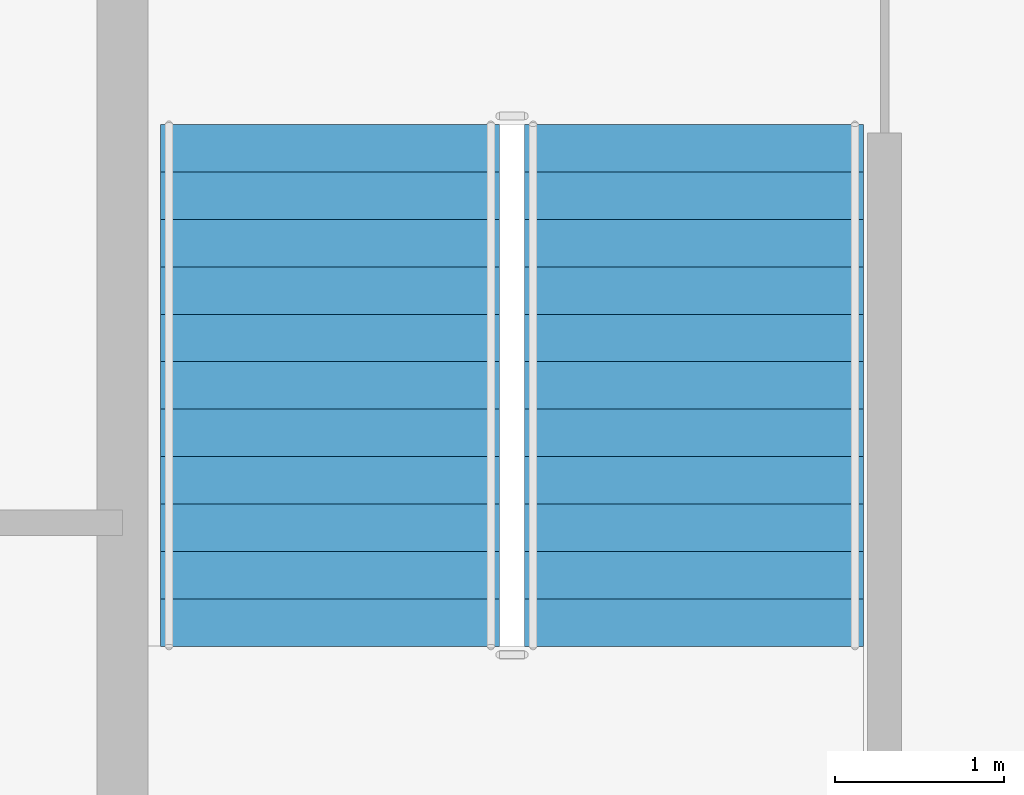
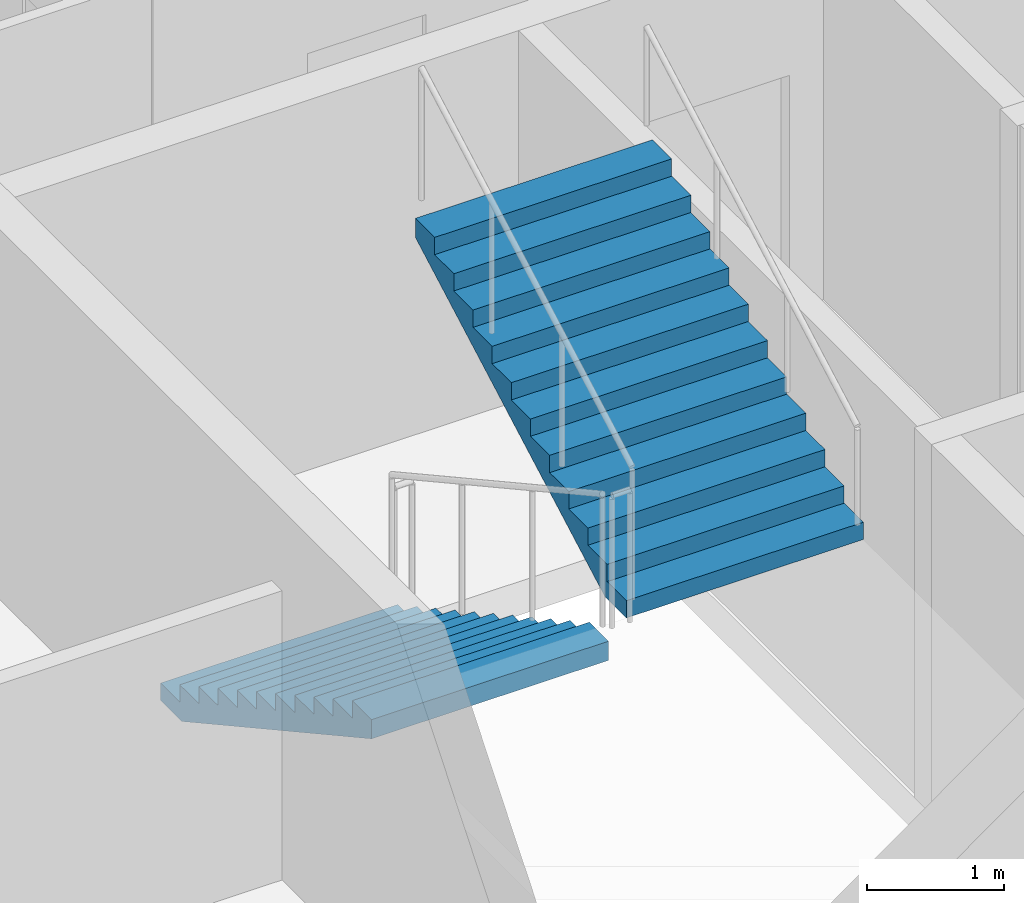
# One storey, part 10 of 14: 2 stair flights, 1 element without a shape of its own.
"""IFC4 building model written with IfcOpenShell, lengths in metres."""

from ifc_helpers import new_model, si_unit, direction, frame, origin, place, context, subcontext, project, spatial, polygons, material, type_object, element, aggregate, save


model = new_model("IFC4")

# Units and contexts
model_context = context("Model", 3, precision=1e-05, world=origin(), true_north=direction((0.0, 1.0)))
body_context = subcontext(model_context, "Body", "Model", "MODEL_VIEW")
ifc_project = project(units=[si_unit("LENGTHUNIT", "METRE"), si_unit("AREAUNIT", "SQUARE_METRE"), si_unit("VOLUMEUNIT", "CUBIC_METRE"), si_unit("PLANEANGLEUNIT", "RADIAN"), si_unit("MASSUNIT", "GRAM", prefix="KILO")], contexts=[model_context])

# Site, building, storey
site_placement = place(None, origin())
site = spatial("IfcSite", under=ifc_project, at=site_placement, CompositionType="ELEMENT")
building_placement = place(site_placement, origin())
building = spatial("IfcBuilding", under=site, at=building_placement, Name="Caravel Reach Hotel and Residences", CompositionType="ELEMENT")
storey_placement = place(building_placement, frame((0.0, 0.0, 183.89990234375)))
storey = spatial("IfcBuildingStorey", under=building, at=storey_placement, Name="L46", CompositionType="ELEMENT", Elevation=183.89990234375)

# Stair, stair flights
ifc_material_1 = material(Name="Concrete C40", Category="concrete")
stair_type = type_object("IfcStairType", Name="Core stair", PredefinedType="HALF_TURN_STAIR", material=ifc_material_1)
stair_placement = place(storey_placement, origin())
stair = element("IfcStair", 1, at=stair_placement, inside=storey, type_object=stair_type, Name="L46 Exit stair A", PredefinedType="HALF_TURN_STAIR")
ifc_material_2 = material(Name="Concrete C40", Category="concrete")
stair_flight_type = type_object("IfcStairFlightType", Name="Core stair flight", PredefinedType="STRAIGHT", material=ifc_material_2)
stair_flight_1_placement = place(storey_placement, frame((19.22509765625, 29.35009765625, 0.0), z_axis=(0.0, 0.0, 1.0), x_axis=(0.0, -1.0, 0.0)))
stair_flight_1 = element("IfcStairFlight", 2, at=stair_flight_1_placement, type_object=stair_flight_type, Name="ST-A flight 1", NumberOfRisers=12, NumberOfTreads=11, PredefinedType="STRAIGHT", RiserHeight=0.154166667, TreadLength=0.28, context=body_context, shape_type="Tessellation", body=[
    polygons([(0.3107950034306102, 1.0, 0.0), (0.3107950034306102, 0.6666666666666667, 0.0), (0.3107950034306102, 0.33333333333333337, 0.0), (0.3107950034306102, 0.0, 0.0), (0.3107950034306102, -0.33333333333333326, 0.0), (0.3107950034306102, -0.6666666666666667, 0.0), (0.3107950034306102, -1.0, 0.0), (3.081, 1.0, 1.524711087717319), (3.081, 0.6666666666666667, 1.524711087717319), (3.081, 0.33333333333333337, 1.524711087717319), (3.081, 0.0, 1.524711087717319), (3.081, -0.33333333333333326, 1.524711087717319), (3.081, -0.6666666666666667, 1.524711087717319), (3.081, -1.0, 1.524711087717319), (3.081, 1.0, 1.695833337), (3.081, 0.6666666666666667, 1.695833337), (3.081, 0.33333333333333337, 1.695833337), (3.081, 0.0, 1.695833337), (3.081, -0.33333333333333326, 1.695833337), (3.081, -0.6666666666666667, 1.695833337), (3.081, -1.0, 1.695833337), (2.8000000000000003, 1.0, 1.695833337), (2.8000000000000003, 0.6666666666666667, 1.695833337), (2.8000000000000003, 0.33333333333333337, 1.695833337), (2.8000000000000003, 0.0, 1.695833337), (2.8000000000000003, -0.33333333333333326, 1.695833337), (2.8000000000000003, -0.6666666666666667, 1.695833337), (2.8000000000000003, -1.0, 1.695833337), (2.8000000000000003, 1.0, 1.5416666700000001), (2.8000000000000003, 0.6666666666666667, 1.5416666700000001), (2.8000000000000003, 0.33333333333333337, 1.5416666700000001), (2.8000000000000003, 0.0, 1.5416666700000001), (2.8000000000000003, -0.33333333333333326, 1.5416666700000001), (2.8000000000000003, -0.6666666666666667, 1.5416666700000001), (2.8000000000000003, -1.0, 1.5416666700000001), (2.5200000000000005, 1.0, 1.5416666700000001), (2.5200000000000005, 0.6666666666666667, 1.5416666700000001), (2.5200000000000005, 0.33333333333333337, 1.5416666700000001), (2.5200000000000005, 0.0, 1.5416666700000001), (2.5200000000000005, -0.33333333333333326, 1.5416666700000001), (2.5200000000000005, -0.6666666666666667, 1.5416666700000001), (2.5200000000000005, -1.0, 1.5416666700000001), (2.5200000000000005, 1.0, 1.387500003), (2.5200000000000005, 0.6666666666666667, 1.387500003), (2.5200000000000005, 0.33333333333333337, 1.387500003), (2.5200000000000005, 0.0, 1.387500003), (2.5200000000000005, -0.33333333333333326, 1.387500003), (2.5200000000000005, -0.6666666666666667, 1.387500003), (2.5200000000000005, -1.0, 1.387500003), (2.24, 1.0, 1.387500003), (2.24, 0.6666666666666667, 1.387500003), (2.24, 0.33333333333333337, 1.387500003), (2.24, 0.0, 1.387500003), (2.24, -0.33333333333333326, 1.387500003), (2.24, -0.6666666666666667, 1.387500003), (2.24, -1.0, 1.387500003), (2.24, 1.0, 1.233333336), (2.24, 0.6666666666666667, 1.233333336), (2.24, 0.33333333333333337, 1.233333336), (2.24, 0.0, 1.233333336), (2.24, -0.33333333333333326, 1.233333336), (2.24, -0.6666666666666667, 1.233333336), (2.24, -1.0, 1.233333336), (1.9600000000000002, 1.0, 1.233333336), (1.9600000000000002, 0.6666666666666667, 1.233333336), (1.9600000000000002, 0.33333333333333337, 1.233333336), (1.9600000000000002, 0.0, 1.233333336), (1.9600000000000002, -0.33333333333333326, 1.233333336), (1.9600000000000002, -0.6666666666666667, 1.233333336), (1.9600000000000002, -1.0, 1.233333336), (1.9600000000000002, 1.0, 1.0791666690000001), (1.9600000000000002, 0.6666666666666667, 1.0791666690000001), (1.9600000000000002, 0.33333333333333337, 1.0791666690000001), (1.9600000000000002, 0.0, 1.0791666690000001), (1.9600000000000002, -0.33333333333333326, 1.0791666690000001), (1.9600000000000002, -0.6666666666666667, 1.0791666690000001), (1.9600000000000002, -1.0, 1.0791666690000001), (1.6800000000000002, 1.0, 1.0791666690000001), (1.6800000000000002, 0.6666666666666667, 1.0791666690000001), (1.6800000000000002, 0.33333333333333337, 1.0791666690000001), (1.6800000000000002, 0.0, 1.0791666690000001), (1.6800000000000002, -0.33333333333333326, 1.0791666690000001), (1.6800000000000002, -0.6666666666666667, 1.0791666690000001), (1.6800000000000002, -1.0, 1.0791666690000001), (1.6800000000000002, 1.0, 0.925000002), (1.6800000000000002, 0.6666666666666667, 0.925000002), (1.6800000000000002, 0.33333333333333337, 0.925000002), (1.6800000000000002, 0.0, 0.925000002), (1.6800000000000002, -0.33333333333333326, 0.925000002), (1.6800000000000002, -0.6666666666666667, 0.925000002), (1.6800000000000002, -1.0, 0.925000002), (1.4000000000000001, 1.0, 0.925000002), (1.4000000000000001, 0.6666666666666667, 0.925000002), (1.4000000000000001, 0.33333333333333337, 0.925000002), (1.4000000000000001, 0.0, 0.925000002), (1.4000000000000001, -0.33333333333333326, 0.925000002), (1.4000000000000001, -0.6666666666666667, 0.925000002), (1.4000000000000001, -1.0, 0.925000002), (1.4000000000000001, 1.0, 0.7708333350000001), (1.4000000000000001, 0.6666666666666667, 0.7708333350000001), (1.4000000000000001, 0.33333333333333337, 0.7708333350000001), (1.4000000000000001, 0.0, 0.7708333350000001), (1.4000000000000001, -0.33333333333333326, 0.7708333350000001), (1.4000000000000001, -0.6666666666666667, 0.7708333350000001), (1.4000000000000001, -1.0, 0.7708333350000001), (1.12, 1.0, 0.7708333350000001), (1.12, 0.6666666666666667, 0.7708333350000001), (1.12, 0.33333333333333337, 0.7708333350000001), (1.12, 0.0, 0.7708333350000001), (1.12, -0.33333333333333326, 0.7708333350000001), (1.12, -0.6666666666666667, 0.7708333350000001), (1.12, -1.0, 0.7708333350000001), (1.12, 1.0, 0.616666668), (1.12, 0.6666666666666667, 0.616666668), (1.12, 0.33333333333333337, 0.616666668), (1.12, 0.0, 0.616666668), (1.12, -0.33333333333333326, 0.616666668), (1.12, -0.6666666666666667, 0.616666668), (1.12, -1.0, 0.616666668), (0.8400000000000001, 1.0, 0.616666668), (0.8400000000000001, 0.6666666666666667, 0.616666668), (0.8400000000000001, 0.33333333333333337, 0.616666668), (0.8400000000000001, 0.0, 0.616666668), (0.8400000000000001, -0.33333333333333326, 0.616666668), (0.8400000000000001, -0.6666666666666667, 0.616666668), (0.8400000000000001, -1.0, 0.616666668), (0.8400000000000001, 1.0, 0.462500001), (0.8400000000000001, 0.6666666666666667, 0.462500001), (0.8400000000000001, 0.33333333333333337, 0.462500001), (0.8400000000000001, 0.0, 0.462500001), (0.8400000000000001, -0.33333333333333326, 0.462500001), (0.8400000000000001, -0.6666666666666667, 0.462500001), (0.8400000000000001, -1.0, 0.462500001), (0.56, 1.0, 0.462500001), (0.56, 0.6666666666666667, 0.462500001), (0.56, 0.33333333333333337, 0.462500001), (0.56, 0.0, 0.462500001), (0.56, -0.33333333333333326, 0.462500001), (0.56, -0.6666666666666667, 0.462500001), (0.56, -1.0, 0.462500001), (0.56, 1.0, 0.308333334), (0.56, 0.6666666666666667, 0.308333334), (0.56, 0.33333333333333337, 0.308333334), (0.56, 0.0, 0.308333334), (0.56, -0.33333333333333326, 0.308333334), (0.56, -0.6666666666666667, 0.308333334), (0.56, -1.0, 0.308333334), (0.28, 1.0, 0.308333334), (0.28, 0.6666666666666667, 0.308333334), (0.28, 0.33333333333333337, 0.308333334), (0.28, 0.0, 0.308333334), (0.28, -0.33333333333333326, 0.308333334), (0.28, -0.6666666666666667, 0.308333334), (0.28, -1.0, 0.308333334), (0.28, 1.0, 0.154166667), (0.28, 0.6666666666666667, 0.154166667), (0.28, 0.33333333333333337, 0.154166667), (0.28, 0.0, 0.154166667), (0.28, -0.33333333333333326, 0.154166667), (0.28, -0.6666666666666667, 0.154166667), (0.28, -1.0, 0.154166667), (-0.001, 1.0, 0.154166667), (-0.001, 0.6666666666666667, 0.154166667), (-0.001, 0.33333333333333337, 0.154166667), (-0.001, 0.0, 0.154166667), (-0.001, -0.33333333333333326, 0.154166667), (-0.001, -0.6666666666666667, 0.154166667), (-0.001, -1.0, 0.154166667), (-0.001, 1.0, 0.0), (-0.001, 0.6666666666666667, 0.0), (-0.001, 0.33333333333333337, 0.0), (-0.001, 0.0, 0.0), (-0.001, -0.33333333333333326, 0.0), (-0.001, -0.6666666666666667, 0.0), (-0.001, -1.0, 0.0)], [[[169, 162, 155, 148, 141, 134, 127, 120, 113, 106, 99, 92, 85, 78, 71, 64, 57, 50, 43, 36, 29, 22, 15, 8, 1]], [[7, 14, 21, 28, 35, 42, 49, 56, 63, 70, 77, 84, 91, 98, 105, 112, 119, 126, 133, 140, 147, 154, 161, 168, 175]], [[1, 8, 9, 2]], [[2, 9, 10, 3]], [[3, 10, 11, 4]], [[4, 11, 12, 5]], [[5, 12, 13, 6]], [[6, 13, 14, 7]], [[8, 15, 16, 9]], [[9, 16, 17, 10]], [[10, 17, 18, 11]], [[11, 18, 19, 12]], [[12, 19, 20, 13]], [[13, 20, 21, 14]], [[15, 22, 23, 16]], [[16, 23, 24, 17]], [[17, 24, 25, 18]], [[18, 25, 26, 19]], [[19, 26, 27, 20]], [[20, 27, 28, 21]], [[22, 29, 30, 23]], [[23, 30, 31, 24]], [[24, 31, 32, 25]], [[25, 32, 33, 26]], [[26, 33, 34, 27]], [[27, 34, 35, 28]], [[29, 36, 37, 30]], [[30, 37, 38, 31]], [[31, 38, 39, 32]], [[32, 39, 40, 33]], [[33, 40, 41, 34]], [[34, 41, 42, 35]], [[36, 43, 44, 37]], [[37, 44, 45, 38]], [[38, 45, 46, 39]], [[39, 46, 47, 40]], [[40, 47, 48, 41]], [[41, 48, 49, 42]], [[43, 50, 51, 44]], [[44, 51, 52, 45]], [[45, 52, 53, 46]], [[46, 53, 54, 47]], [[47, 54, 55, 48]], [[48, 55, 56, 49]], [[50, 57, 58, 51]], [[51, 58, 59, 52]], [[52, 59, 60, 53]], [[53, 60, 61, 54]], [[54, 61, 62, 55]], [[55, 62, 63, 56]], [[57, 64, 65, 58]], [[58, 65, 66, 59]], [[59, 66, 67, 60]], [[60, 67, 68, 61]], [[61, 68, 69, 62]], [[62, 69, 70, 63]], [[64, 71, 72, 65]], [[65, 72, 73, 66]], [[66, 73, 74, 67]], [[67, 74, 75, 68]], [[68, 75, 76, 69]], [[69, 76, 77, 70]], [[71, 78, 79, 72]], [[72, 79, 80, 73]], [[73, 80, 81, 74]], [[74, 81, 82, 75]], [[75, 82, 83, 76]], [[76, 83, 84, 77]], [[78, 85, 86, 79]], [[79, 86, 87, 80]], [[80, 87, 88, 81]], [[81, 88, 89, 82]], [[82, 89, 90, 83]], [[83, 90, 91, 84]], [[85, 92, 93, 86]], [[86, 93, 94, 87]], [[87, 94, 95, 88]], [[88, 95, 96, 89]], [[89, 96, 97, 90]], [[90, 97, 98, 91]], [[92, 99, 100, 93]], [[93, 100, 101, 94]], [[94, 101, 102, 95]], [[95, 102, 103, 96]], [[96, 103, 104, 97]], [[97, 104, 105, 98]], [[99, 106, 107, 100]], [[100, 107, 108, 101]], [[101, 108, 109, 102]], [[102, 109, 110, 103]], [[103, 110, 111, 104]], [[104, 111, 112, 105]], [[106, 113, 114, 107]], [[107, 114, 115, 108]], [[108, 115, 116, 109]], [[109, 116, 117, 110]], [[110, 117, 118, 111]], [[111, 118, 119, 112]], [[113, 120, 121, 114]], [[114, 121, 122, 115]], [[115, 122, 123, 116]], [[116, 123, 124, 117]], [[117, 124, 125, 118]], [[118, 125, 126, 119]], [[120, 127, 128, 121]], [[121, 128, 129, 122]], [[122, 129, 130, 123]], [[123, 130, 131, 124]], [[124, 131, 132, 125]], [[125, 132, 133, 126]], [[127, 134, 135, 128]], [[128, 135, 136, 129]], [[129, 136, 137, 130]], [[130, 137, 138, 131]], [[131, 138, 139, 132]], [[132, 139, 140, 133]], [[134, 141, 142, 135]], [[135, 142, 143, 136]], [[136, 143, 144, 137]], [[137, 144, 145, 138]], [[138, 145, 146, 139]], [[139, 146, 147, 140]], [[141, 148, 149, 142]], [[142, 149, 150, 143]], [[143, 150, 151, 144]], [[144, 151, 152, 145]], [[145, 152, 153, 146]], [[146, 153, 154, 147]], [[148, 155, 156, 149]], [[149, 156, 157, 150]], [[150, 157, 158, 151]], [[151, 158, 159, 152]], [[152, 159, 160, 153]], [[153, 160, 161, 154]], [[155, 162, 163, 156]], [[156, 163, 164, 157]], [[157, 164, 165, 158]], [[158, 165, 166, 159]], [[159, 166, 167, 160]], [[160, 167, 168, 161]], [[162, 169, 170, 163]], [[163, 170, 171, 164]], [[164, 171, 172, 165]], [[165, 172, 173, 166]], [[166, 173, 174, 167]], [[167, 174, 175, 168]], [[169, 1, 2, 170]], [[170, 2, 3, 171]], [[171, 3, 4, 172]], [[172, 4, 5, 173]], [[173, 5, 6, 174]], [[174, 6, 7, 175]]], closed=True),
])
stair_flight_2_placement = place(storey_placement, frame((21.375, 26.27001953125, 1.85009765625), z_axis=(0.0, 0.0, 1.0), x_axis=(0.0, 1.0, 0.0)))
stair_flight_2 = element("IfcStairFlight", 3, at=stair_flight_2_placement, type_object=stair_flight_type, Name="ST-A flight 2", NumberOfRisers=12, NumberOfTreads=11, PredefinedType="STRAIGHT", RiserHeight=0.154166667, TreadLength=0.28, context=body_context, shape_type="Tessellation", body=[
    polygons([(0.3107950034306102, 1.0, 0.0), (0.3107950034306102, 0.6666666666666667, 0.0), (0.3107950034306102, 0.33333333333333337, 0.0), (0.3107950034306102, 0.0, 0.0), (0.3107950034306102, -0.33333333333333326, 0.0), (0.3107950034306102, -0.6666666666666667, 0.0), (0.3107950034306102, -1.0, 0.0), (3.081, 1.0, 1.524711087717319), (3.081, 0.6666666666666667, 1.524711087717319), (3.081, 0.33333333333333337, 1.524711087717319), (3.081, 0.0, 1.524711087717319), (3.081, -0.33333333333333326, 1.524711087717319), (3.081, -0.6666666666666667, 1.524711087717319), (3.081, -1.0, 1.524711087717319), (3.081, 1.0, 1.695833337), (3.081, 0.6666666666666667, 1.695833337), (3.081, 0.33333333333333337, 1.695833337), (3.081, 0.0, 1.695833337), (3.081, -0.33333333333333326, 1.695833337), (3.081, -0.6666666666666667, 1.695833337), (3.081, -1.0, 1.695833337), (2.8000000000000003, 1.0, 1.695833337), (2.8000000000000003, 0.6666666666666667, 1.695833337), (2.8000000000000003, 0.33333333333333337, 1.695833337), (2.8000000000000003, 0.0, 1.695833337), (2.8000000000000003, -0.33333333333333326, 1.695833337), (2.8000000000000003, -0.6666666666666667, 1.695833337), (2.8000000000000003, -1.0, 1.695833337), (2.8000000000000003, 1.0, 1.5416666700000001), (2.8000000000000003, 0.6666666666666667, 1.5416666700000001), (2.8000000000000003, 0.33333333333333337, 1.5416666700000001), (2.8000000000000003, 0.0, 1.5416666700000001), (2.8000000000000003, -0.33333333333333326, 1.5416666700000001), (2.8000000000000003, -0.6666666666666667, 1.5416666700000001), (2.8000000000000003, -1.0, 1.5416666700000001), (2.5200000000000005, 1.0, 1.5416666700000001), (2.5200000000000005, 0.6666666666666667, 1.5416666700000001), (2.5200000000000005, 0.33333333333333337, 1.5416666700000001), (2.5200000000000005, 0.0, 1.5416666700000001), (2.5200000000000005, -0.33333333333333326, 1.5416666700000001), (2.5200000000000005, -0.6666666666666667, 1.5416666700000001), (2.5200000000000005, -1.0, 1.5416666700000001), (2.5200000000000005, 1.0, 1.387500003), (2.5200000000000005, 0.6666666666666667, 1.387500003), (2.5200000000000005, 0.33333333333333337, 1.387500003), (2.5200000000000005, 0.0, 1.387500003), (2.5200000000000005, -0.33333333333333326, 1.387500003), (2.5200000000000005, -0.6666666666666667, 1.387500003), (2.5200000000000005, -1.0, 1.387500003), (2.24, 1.0, 1.387500003), (2.24, 0.6666666666666667, 1.387500003), (2.24, 0.33333333333333337, 1.387500003), (2.24, 0.0, 1.387500003), (2.24, -0.33333333333333326, 1.387500003), (2.24, -0.6666666666666667, 1.387500003), (2.24, -1.0, 1.387500003), (2.24, 1.0, 1.233333336), (2.24, 0.6666666666666667, 1.233333336), (2.24, 0.33333333333333337, 1.233333336), (2.24, 0.0, 1.233333336), (2.24, -0.33333333333333326, 1.233333336), (2.24, -0.6666666666666667, 1.233333336), (2.24, -1.0, 1.233333336), (1.9600000000000002, 1.0, 1.233333336), (1.9600000000000002, 0.6666666666666667, 1.233333336), (1.9600000000000002, 0.33333333333333337, 1.233333336), (1.9600000000000002, 0.0, 1.233333336), (1.9600000000000002, -0.33333333333333326, 1.233333336), (1.9600000000000002, -0.6666666666666667, 1.233333336), (1.9600000000000002, -1.0, 1.233333336), (1.9600000000000002, 1.0, 1.0791666690000001), (1.9600000000000002, 0.6666666666666667, 1.0791666690000001), (1.9600000000000002, 0.33333333333333337, 1.0791666690000001), (1.9600000000000002, 0.0, 1.0791666690000001), (1.9600000000000002, -0.33333333333333326, 1.0791666690000001), (1.9600000000000002, -0.6666666666666667, 1.0791666690000001), (1.9600000000000002, -1.0, 1.0791666690000001), (1.6800000000000002, 1.0, 1.0791666690000001), (1.6800000000000002, 0.6666666666666667, 1.0791666690000001), (1.6800000000000002, 0.33333333333333337, 1.0791666690000001), (1.6800000000000002, 0.0, 1.0791666690000001), (1.6800000000000002, -0.33333333333333326, 1.0791666690000001), (1.6800000000000002, -0.6666666666666667, 1.0791666690000001), (1.6800000000000002, -1.0, 1.0791666690000001), (1.6800000000000002, 1.0, 0.925000002), (1.6800000000000002, 0.6666666666666667, 0.925000002), (1.6800000000000002, 0.33333333333333337, 0.925000002), (1.6800000000000002, 0.0, 0.925000002), (1.6800000000000002, -0.33333333333333326, 0.925000002), (1.6800000000000002, -0.6666666666666667, 0.925000002), (1.6800000000000002, -1.0, 0.925000002), (1.4000000000000001, 1.0, 0.925000002), (1.4000000000000001, 0.6666666666666667, 0.925000002), (1.4000000000000001, 0.33333333333333337, 0.925000002), (1.4000000000000001, 0.0, 0.925000002), (1.4000000000000001, -0.33333333333333326, 0.925000002), (1.4000000000000001, -0.6666666666666667, 0.925000002), (1.4000000000000001, -1.0, 0.925000002), (1.4000000000000001, 1.0, 0.7708333350000001), (1.4000000000000001, 0.6666666666666667, 0.7708333350000001), (1.4000000000000001, 0.33333333333333337, 0.7708333350000001), (1.4000000000000001, 0.0, 0.7708333350000001), (1.4000000000000001, -0.33333333333333326, 0.7708333350000001), (1.4000000000000001, -0.6666666666666667, 0.7708333350000001), (1.4000000000000001, -1.0, 0.7708333350000001), (1.12, 1.0, 0.7708333350000001), (1.12, 0.6666666666666667, 0.7708333350000001), (1.12, 0.33333333333333337, 0.7708333350000001), (1.12, 0.0, 0.7708333350000001), (1.12, -0.33333333333333326, 0.7708333350000001), (1.12, -0.6666666666666667, 0.7708333350000001), (1.12, -1.0, 0.7708333350000001), (1.12, 1.0, 0.616666668), (1.12, 0.6666666666666667, 0.616666668), (1.12, 0.33333333333333337, 0.616666668), (1.12, 0.0, 0.616666668), (1.12, -0.33333333333333326, 0.616666668), (1.12, -0.6666666666666667, 0.616666668), (1.12, -1.0, 0.616666668), (0.8400000000000001, 1.0, 0.616666668), (0.8400000000000001, 0.6666666666666667, 0.616666668), (0.8400000000000001, 0.33333333333333337, 0.616666668), (0.8400000000000001, 0.0, 0.616666668), (0.8400000000000001, -0.33333333333333326, 0.616666668), (0.8400000000000001, -0.6666666666666667, 0.616666668), (0.8400000000000001, -1.0, 0.616666668), (0.8400000000000001, 1.0, 0.462500001), (0.8400000000000001, 0.6666666666666667, 0.462500001), (0.8400000000000001, 0.33333333333333337, 0.462500001), (0.8400000000000001, 0.0, 0.462500001), (0.8400000000000001, -0.33333333333333326, 0.462500001), (0.8400000000000001, -0.6666666666666667, 0.462500001), (0.8400000000000001, -1.0, 0.462500001), (0.56, 1.0, 0.462500001), (0.56, 0.6666666666666667, 0.462500001), (0.56, 0.33333333333333337, 0.462500001), (0.56, 0.0, 0.462500001), (0.56, -0.33333333333333326, 0.462500001), (0.56, -0.6666666666666667, 0.462500001), (0.56, -1.0, 0.462500001), (0.56, 1.0, 0.308333334), (0.56, 0.6666666666666667, 0.308333334), (0.56, 0.33333333333333337, 0.308333334), (0.56, 0.0, 0.308333334), (0.56, -0.33333333333333326, 0.308333334), (0.56, -0.6666666666666667, 0.308333334), (0.56, -1.0, 0.308333334), (0.28, 1.0, 0.308333334), (0.28, 0.6666666666666667, 0.308333334), (0.28, 0.33333333333333337, 0.308333334), (0.28, 0.0, 0.308333334), (0.28, -0.33333333333333326, 0.308333334), (0.28, -0.6666666666666667, 0.308333334), (0.28, -1.0, 0.308333334), (0.28, 1.0, 0.154166667), (0.28, 0.6666666666666667, 0.154166667), (0.28, 0.33333333333333337, 0.154166667), (0.28, 0.0, 0.154166667), (0.28, -0.33333333333333326, 0.154166667), (0.28, -0.6666666666666667, 0.154166667), (0.28, -1.0, 0.154166667), (-0.001, 1.0, 0.154166667), (-0.001, 0.6666666666666667, 0.154166667), (-0.001, 0.33333333333333337, 0.154166667), (-0.001, 0.0, 0.154166667), (-0.001, -0.33333333333333326, 0.154166667), (-0.001, -0.6666666666666667, 0.154166667), (-0.001, -1.0, 0.154166667), (-0.001, 1.0, 0.0), (-0.001, 0.6666666666666667, 0.0), (-0.001, 0.33333333333333337, 0.0), (-0.001, 0.0, 0.0), (-0.001, -0.33333333333333326, 0.0), (-0.001, -0.6666666666666667, 0.0), (-0.001, -1.0, 0.0)], [[[169, 162, 155, 148, 141, 134, 127, 120, 113, 106, 99, 92, 85, 78, 71, 64, 57, 50, 43, 36, 29, 22, 15, 8, 1]], [[7, 14, 21, 28, 35, 42, 49, 56, 63, 70, 77, 84, 91, 98, 105, 112, 119, 126, 133, 140, 147, 154, 161, 168, 175]], [[1, 8, 9, 2]], [[2, 9, 10, 3]], [[3, 10, 11, 4]], [[4, 11, 12, 5]], [[5, 12, 13, 6]], [[6, 13, 14, 7]], [[8, 15, 16, 9]], [[9, 16, 17, 10]], [[10, 17, 18, 11]], [[11, 18, 19, 12]], [[12, 19, 20, 13]], [[13, 20, 21, 14]], [[15, 22, 23, 16]], [[16, 23, 24, 17]], [[17, 24, 25, 18]], [[18, 25, 26, 19]], [[19, 26, 27, 20]], [[20, 27, 28, 21]], [[22, 29, 30, 23]], [[23, 30, 31, 24]], [[24, 31, 32, 25]], [[25, 32, 33, 26]], [[26, 33, 34, 27]], [[27, 34, 35, 28]], [[29, 36, 37, 30]], [[30, 37, 38, 31]], [[31, 38, 39, 32]], [[32, 39, 40, 33]], [[33, 40, 41, 34]], [[34, 41, 42, 35]], [[36, 43, 44, 37]], [[37, 44, 45, 38]], [[38, 45, 46, 39]], [[39, 46, 47, 40]], [[40, 47, 48, 41]], [[41, 48, 49, 42]], [[43, 50, 51, 44]], [[44, 51, 52, 45]], [[45, 52, 53, 46]], [[46, 53, 54, 47]], [[47, 54, 55, 48]], [[48, 55, 56, 49]], [[50, 57, 58, 51]], [[51, 58, 59, 52]], [[52, 59, 60, 53]], [[53, 60, 61, 54]], [[54, 61, 62, 55]], [[55, 62, 63, 56]], [[57, 64, 65, 58]], [[58, 65, 66, 59]], [[59, 66, 67, 60]], [[60, 67, 68, 61]], [[61, 68, 69, 62]], [[62, 69, 70, 63]], [[64, 71, 72, 65]], [[65, 72, 73, 66]], [[66, 73, 74, 67]], [[67, 74, 75, 68]], [[68, 75, 76, 69]], [[69, 76, 77, 70]], [[71, 78, 79, 72]], [[72, 79, 80, 73]], [[73, 80, 81, 74]], [[74, 81, 82, 75]], [[75, 82, 83, 76]], [[76, 83, 84, 77]], [[78, 85, 86, 79]], [[79, 86, 87, 80]], [[80, 87, 88, 81]], [[81, 88, 89, 82]], [[82, 89, 90, 83]], [[83, 90, 91, 84]], [[85, 92, 93, 86]], [[86, 93, 94, 87]], [[87, 94, 95, 88]], [[88, 95, 96, 89]], [[89, 96, 97, 90]], [[90, 97, 98, 91]], [[92, 99, 100, 93]], [[93, 100, 101, 94]], [[94, 101, 102, 95]], [[95, 102, 103, 96]], [[96, 103, 104, 97]], [[97, 104, 105, 98]], [[99, 106, 107, 100]], [[100, 107, 108, 101]], [[101, 108, 109, 102]], [[102, 109, 110, 103]], [[103, 110, 111, 104]], [[104, 111, 112, 105]], [[106, 113, 114, 107]], [[107, 114, 115, 108]], [[108, 115, 116, 109]], [[109, 116, 117, 110]], [[110, 117, 118, 111]], [[111, 118, 119, 112]], [[113, 120, 121, 114]], [[114, 121, 122, 115]], [[115, 122, 123, 116]], [[116, 123, 124, 117]], [[117, 124, 125, 118]], [[118, 125, 126, 119]], [[120, 127, 128, 121]], [[121, 128, 129, 122]], [[122, 129, 130, 123]], [[123, 130, 131, 124]], [[124, 131, 132, 125]], [[125, 132, 133, 126]], [[127, 134, 135, 128]], [[128, 135, 136, 129]], [[129, 136, 137, 130]], [[130, 137, 138, 131]], [[131, 138, 139, 132]], [[132, 139, 140, 133]], [[134, 141, 142, 135]], [[135, 142, 143, 136]], [[136, 143, 144, 137]], [[137, 144, 145, 138]], [[138, 145, 146, 139]], [[139, 146, 147, 140]], [[141, 148, 149, 142]], [[142, 149, 150, 143]], [[143, 150, 151, 144]], [[144, 151, 152, 145]], [[145, 152, 153, 146]], [[146, 153, 154, 147]], [[148, 155, 156, 149]], [[149, 156, 157, 150]], [[150, 157, 158, 151]], [[151, 158, 159, 152]], [[152, 159, 160, 153]], [[153, 160, 161, 154]], [[155, 162, 163, 156]], [[156, 163, 164, 157]], [[157, 164, 165, 158]], [[158, 165, 166, 159]], [[159, 166, 167, 160]], [[160, 167, 168, 161]], [[162, 169, 170, 163]], [[163, 170, 171, 164]], [[164, 171, 172, 165]], [[165, 172, 173, 166]], [[166, 173, 174, 167]], [[167, 174, 175, 168]], [[169, 1, 2, 170]], [[170, 2, 3, 171]], [[171, 3, 4, 172]], [[172, 4, 5, 173]], [[173, 5, 6, 174]], [[174, 6, 7, 175]]], closed=True),
])
aggregate(stair, [stair_flight_1, stair_flight_2])

save(model, "model.ifc")
